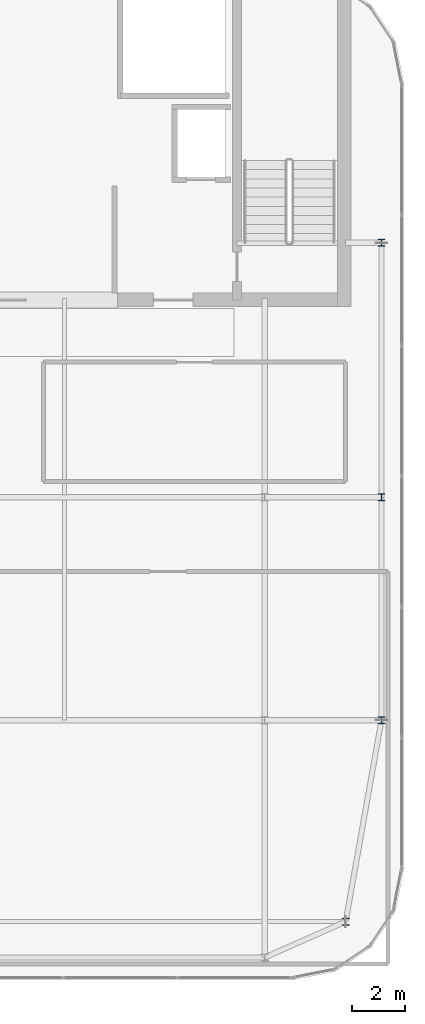
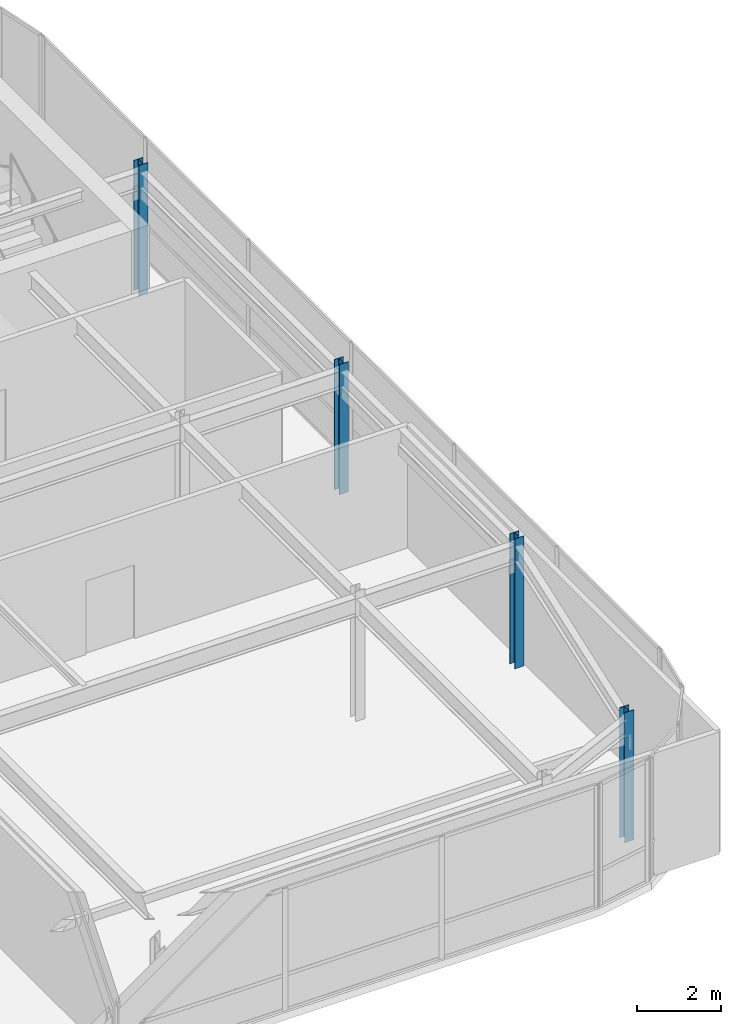
# One storey, part 3 of 36: 4 columns.
"""IFC4 building model written with IfcOpenShell, lengths in metres."""

from ifc_helpers import new_model, si_unit, direction, frame, origin, origin_2d, place, context, subcontext, project, spatial, i_section, extrude, source, transform, mapped, material, material_profile, profile_set, type_object, type_shapes, element, save


model = new_model("IFC4")

# Units and contexts
model_context = context("Model", 3, precision=1e-05, world=origin(), true_north=direction((0.0, 1.0)))
body_context = subcontext(model_context, "Body", "Model", "MODEL_VIEW")
ifc_project = project(units=[si_unit("LENGTHUNIT", "METRE"), si_unit("AREAUNIT", "SQUARE_METRE"), si_unit("VOLUMEUNIT", "CUBIC_METRE"), si_unit("PLANEANGLEUNIT", "RADIAN"), si_unit("MASSUNIT", "GRAM", prefix="KILO")], contexts=[model_context])

# Site, building, storey
site_placement = place(None, origin())
site = spatial("IfcSite", under=ifc_project, at=site_placement, CompositionType="ELEMENT")
building_placement = place(site_placement, origin())
building = spatial("IfcBuilding", under=site, at=building_placement, Name="Tolvann Quenvar Hotel", CompositionType="ELEMENT")
storey_placement = place(building_placement, frame((0.0, 0.0, 294.75)))
storey = spatial("IfcBuildingStorey", under=building, at=storey_placement, Name="L78", CompositionType="ELEMENT", Elevation=294.75)

# Columns
ifc_material = material(Name="Steel Grade 350", Category="steel")
ifc_material_profile = material_profile(ifc_material, i_section(OverallWidth=0.256103515625, OverallDepth=0.260009765625, WebThickness=0.010498046875, FlangeThickness=0.017333984375, FilletRadius=0.013916015625, at=origin_2d()), Name="250UC90")
ifc_profile_set = profile_set([ifc_material_profile], Name="Steel Grade 350")
column_type = type_object("IfcColumnType", Name="COL_250UC90", PredefinedType="COLUMN", material=ifc_profile_set)
shared_shape = source(origin(), body_context, "Body", "SweptSolid", [
    extrude(i_section(OverallWidth=0.256103515625, OverallDepth=0.260009765625, WebThickness=0.010498046875, FlangeThickness=0.017333984375, FilletRadius=0.013916015625, at=origin_2d()), origin(), (0.0, 0.0, 1.0), 3.800048828125),
])
type_shapes(column_type, [shared_shape])
for number, where, z_axis, x_axis, name in (
    (1, (35.800048828125, 8.39990234375, 0.0), (0.0, 0.0, 1.0), (1.0, 0.0, 0.0), "Column G2 (L78)"),
    (2, (37.14990234375, 16.0, 0.0), (0.0, 0.0, 1.0), (1.0, 0.0, 0.0), "Column G4 (L78)"),
    (3, (37.14990234375, 24.39990234375, 0.0), (0.0, 0.0, 1.0), (1.0, 0.0, 0.0), "Column G5 (L78)"),
    (4, (37.14990234375, 34.0, 0.0), (0.0, 0.0, 1.0), (1.0, 0.0, 0.0), "Column GD6 (L78)"),
):
    element("IfcColumn", number, at=place(storey_placement, frame(where, z_axis=z_axis, x_axis=x_axis)), inside=storey, type_object=column_type, Name=name, PredefinedType="COLUMN", context=body_context, shape_type="MappedRepresentation", body=[
        mapped(shared_shape, transform((0.0, 0.0, 0.0), x_axis=(1.0, 0.0, 0.0), y_axis=(0.0, 1.0, 0.0), z_axis=(0.0, 0.0, 1.0), scale=1.0)),
    ])

save(model, "model.ifc")
